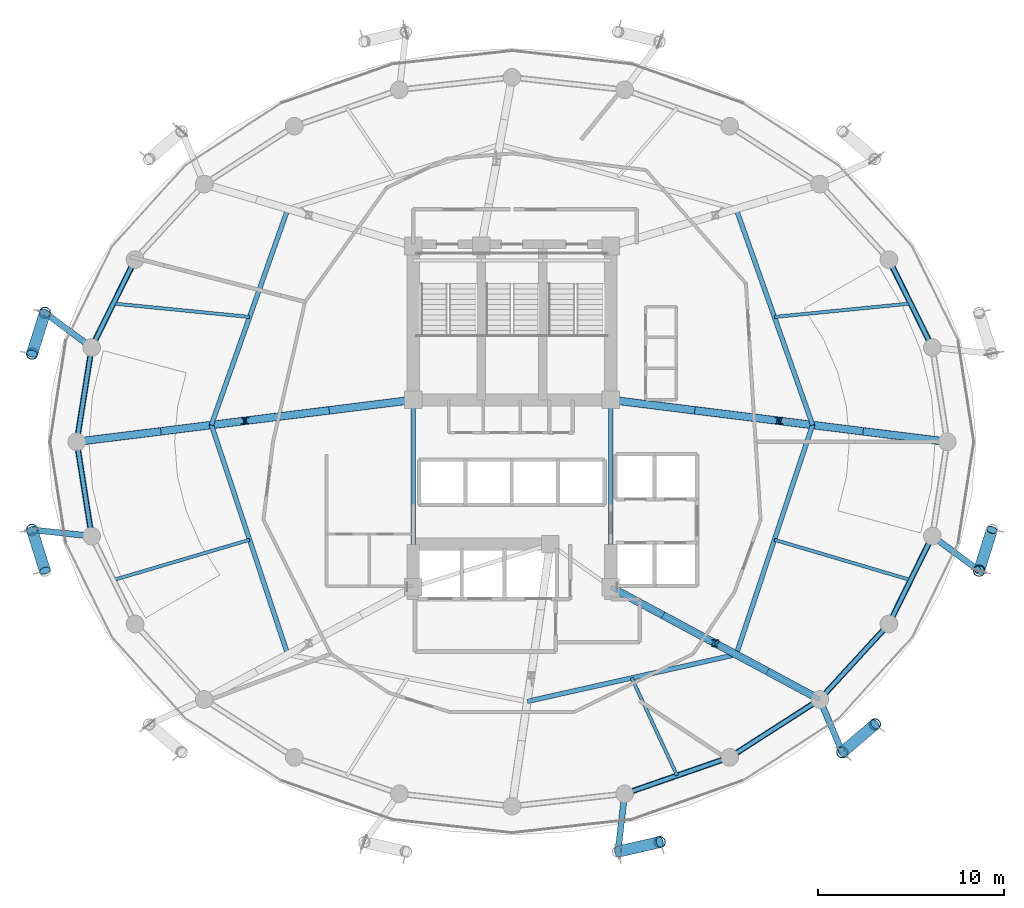
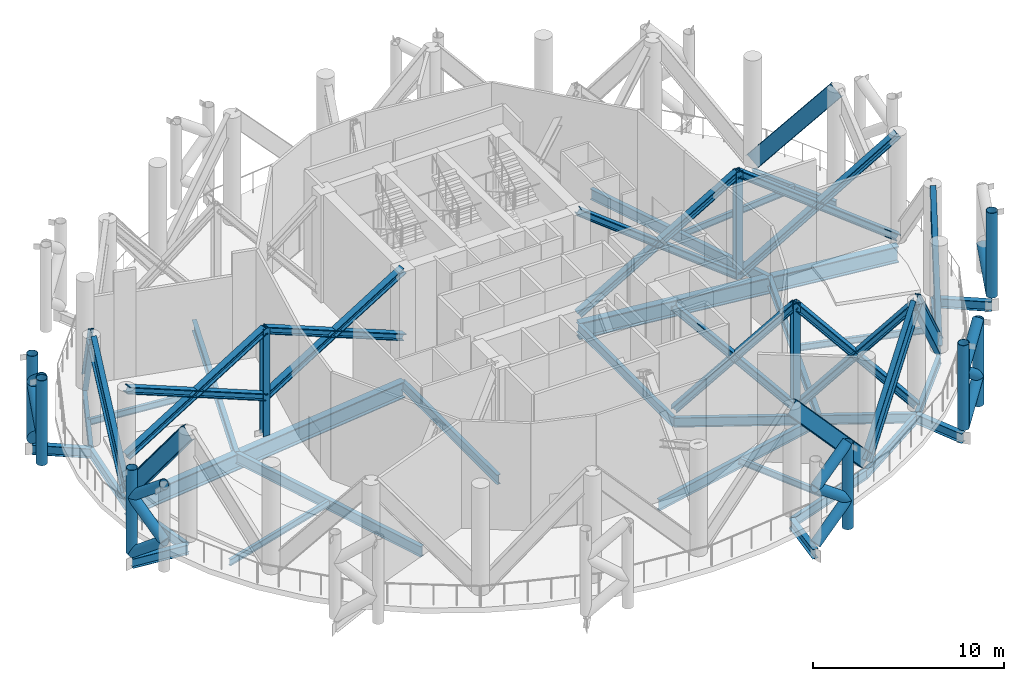
# One storey, part 2 of 18: 43 members, 28 beams.
"""IFC4 building model written with IfcOpenShell, lengths in metres."""

from ifc_helpers import new_model, si_unit, direction, frame, origin, origin_2d, place, context, subcontext, project, spatial, hollow_circle, i_section, extrude, material, material_profile, profile_set, type_object, element, save


model = new_model("IFC4")

# Units and contexts
model_context = context("Model", 3, precision=1e-05, world=origin(), true_north=direction((0.0, 1.0)))
body_context = subcontext(model_context, "Body", "Model", "MODEL_VIEW")
ifc_project = project(units=[si_unit("LENGTHUNIT", "METRE"), si_unit("AREAUNIT", "SQUARE_METRE"), si_unit("VOLUMEUNIT", "CUBIC_METRE"), si_unit("PLANEANGLEUNIT", "RADIAN"), si_unit("MASSUNIT", "GRAM", prefix="KILO")], contexts=[model_context])

# Site, building, storey
site_placement = place(None, origin())
site = spatial("IfcSite", under=ifc_project, at=site_placement, CompositionType="ELEMENT")
building_placement = place(site_placement, origin())
building = spatial("IfcBuilding", under=site, at=building_placement, Name="Nuhasar Tower", CompositionType="ELEMENT")
storey_placement = place(building_placement, frame((0.0, 0.0, 195.949951171875)))
storey = spatial("IfcBuildingStorey", under=building, at=storey_placement, Name="L48", CompositionType="ELEMENT", Elevation=195.949951171875)

# Members
ifc_material_1 = material(Name="Steel S460", Category="steel")
ifc_material_profile_1 = material_profile(ifc_material_1, i_section(OverallWidth=0.306884765625, OverallDepth=0.927001953125, WebThickness=0.019287109375, FlangeThickness=0.031982421875, at=origin_2d()), Name="W36X194")
ifc_profile_set_1 = profile_set([ifc_material_profile_1], Name="Steel S460")
member_type_1 = type_object("IfcMemberType", Name="BLT-DIAG-W36B", PredefinedType="CHORD", material=ifc_profile_set_1)
for number, where, z_axis, x_axis, name in (
    (1, (59.221923828125, 36.574951171875, 0.150146484375), (0.276834627415, -0.559697479547, 0.78108982867), (0.896349682501, 0.443347771709, 0.0), "L48 Belt Truss Diagonal 02"),
    (2, (18.778076171875, 36.574951171875, 0.150146484375), (-0.276834627415, -0.559697479547, 0.78108982867), (0.896349682501, -0.443347771709, 0.0), "L48 Belt Truss Diagonal 11"),
):
    element("IfcMember", number, at=place(storey_placement, frame(where, z_axis=z_axis, x_axis=x_axis)), inside=storey, type_object=member_type_1, Name=name, PredefinedType="CHORD", context=body_context, shape_type="SweptSolid", body=[
        extrude(i_section(OverallWidth=0.306884765625, OverallDepth=0.927001953125, WebThickness=0.019287109375, FlangeThickness=0.031982421875, at=origin_2d()), origin(), (0.0, 0.0, 1.0), 8.423828125),
    ])
for number, where, z_axis, x_axis, name in (
    (3, (15.64990234375, 26.800048828125, 0.150146484375), (0.09547676718, 0.606823513206, 0.789081371437), (-0.987847452566, 0.155426543608, 0.0), "L48 Belt Truss Diagonal 12"),
    (4, (15.64990234375, 26.800048828125, 0.150146484375), (0.09547676718, -0.606823513206, 0.789081371437), (0.987847452566, 0.155426543608, 0.0), "L48 Belt Truss Diagonal 13"),
):
    element("IfcMember", number, at=place(storey_placement, frame(where, z_axis=z_axis, x_axis=x_axis)), inside=storey, type_object=member_type_1, Name=name, PredefinedType="CHORD", context=body_context, shape_type="SweptSolid", body=[
        extrude(i_section(OverallWidth=0.306884765625, OverallDepth=0.927001953125, WebThickness=0.019287109375, FlangeThickness=0.031982421875, at=origin_2d()), origin(), (0.0, 0.0, 1.0), 8.338623046875),
    ])
member_1_placement = place(storey_placement, frame((50.675048828125, 9.868896484375, 0.150146484375), z_axis=(-0.634348302799, -0.219955441245, 0.741095024003), x_axis=(0.327607076458, -0.944814057608, 0.0)))
element("IfcMember", 5, at=member_1_placement, inside=storey, type_object=member_type_1, Name="L48 Belt Truss Diagonal 20", PredefinedType="CHORD", context=body_context, shape_type="SweptSolid", body=[
    extrude(i_section(OverallWidth=0.306884765625, OverallDepth=0.927001953125, WebThickness=0.019287109375, FlangeThickness=0.031982421875, at=origin_2d()), origin(), (0.0, 0.0, 1.0), 8.87841796875),
])
member_2_placement = place(storey_placement, frame((50.675048828125, 9.868896484375, 0.150146484375), z_axis=(0.553501309956, 0.355634651243, 0.753100454596), x_axis=(-0.540555789955, 0.841308170616, 0.0)))
element("IfcMember", 6, at=member_2_placement, inside=storey, type_object=member_type_1, Name="L48 Belt Truss Diagonal 21", PredefinedType="CHORD", context=body_context, shape_type="SweptSolid", body=[
    extrude(i_section(OverallWidth=0.306884765625, OverallDepth=0.927001953125, WebThickness=0.019287109375, FlangeThickness=0.031982421875, at=origin_2d()), origin(), (0.0, 0.0, 1.0), 8.737060546875),
])
member_3_placement = place(storey_placement, frame((59.221923828125, 17.02490234375, 0.150146484375), z_axis=(-0.432975435462, -0.47239898827, 0.76770532639), x_axis=(0.737198423262, -0.675676316545, 0.0)))
element("IfcMember", 7, at=member_3_placement, inside=storey, type_object=member_type_1, Name="L48 Belt Truss Diagonal 22", PredefinedType="CHORD", context=body_context, shape_type="SweptSolid", body=[
    extrude(i_section(OverallWidth=0.306884765625, OverallDepth=0.927001953125, WebThickness=0.019287109375, FlangeThickness=0.031982421875, at=origin_2d()), origin(), (0.0, 0.0, 1.0), 8.57080078125),
])
member_4_placement = place(storey_placement, frame((59.221923828125, 17.02490234375, 0.150146484375), z_axis=(0.276830136855, 0.559717382022, 0.781077158539), x_axis=(-0.896358804966, 0.443329327657, 0.0)))
element("IfcMember", 8, at=member_4_placement, inside=storey, type_object=member_type_1, Name="L48 Belt Truss Diagonal 23", PredefinedType="CHORD", context=body_context, shape_type="SweptSolid", body=[
    extrude(i_section(OverallWidth=0.306884765625, OverallDepth=0.927001953125, WebThickness=0.019287109375, FlangeThickness=0.031982421875, at=origin_2d()), origin(), (0.0, 0.0, 1.0), 8.424072265625),
])

# Beams
ifc_material_2 = material(Name="Steel S355", Category="steel")
ifc_material_profile_2 = material_profile(ifc_material_2, i_section(OverallWidth=0.25390625, OverallDepth=0.68408203125, WebThickness=0.012451171875, FlangeThickness=0.018798828125, at=origin_2d()), Name="W27X94")
ifc_profile_set_2 = profile_set([ifc_material_profile_2], Name="Steel S355")
beam_type_1 = type_object("IfcBeamType", Name="BM-INRING-W27X94", PredefinedType="BEAM", material=ifc_profile_set_2)
beam_1_placement = place(storey_placement, frame((39.820068359375, 12.8701171875, -0.69189453125), z_axis=(0.975716159385, 0.219038755282, 0.0), x_axis=(-0.219038755282, 0.975716159385, 0.0)))
element("IfcBeam", 9, at=beam_1_placement, inside=storey, type_object=beam_type_1, Name="L48 Inner Header Beam 02", PredefinedType="BEAM", context=body_context, shape_type="SweptSolid", body=[
    extrude(i_section(OverallWidth=0.25390625, OverallDepth=0.68408203125, WebThickness=0.012451171875, FlangeThickness=0.018798828125, at=origin_2d()), origin(), (0.0, 0.0, 1.0), 11.48583984375),
])
beam_2_placement = place(storey_placement, frame((51.027099609375, 15.385986328125, -0.69189453125), z_axis=(0.31609797573, 0.948726551615, 0.0), x_axis=(-0.948726551615, 0.31609797573, 0.0)))
element("IfcBeam", 10, at=beam_2_placement, inside=storey, type_object=beam_type_1, Name="L48 Inner Header Beam 03", PredefinedType="BEAM", context=body_context, shape_type="SweptSolid", body=[
    extrude(i_section(OverallWidth=0.25390625, OverallDepth=0.68408203125, WebThickness=0.012451171875, FlangeThickness=0.018798828125, at=origin_2d()), origin(), (0.0, 0.0, 1.0), 12.9794921875),
])
for number, where, z_axis, x_axis, name in (
    (11, (55.1298828125, 27.699951171875, -0.69189453125), (-0.333599821096, 0.942714781556, 0.0), (-0.942714781556, -0.333599821096, 0.0), "L48 Inner Header Beam 04"),
    (12, (26.972900390625, 39.2939453125, -0.69189453125), (-0.333599821096, -0.942714781556, 0.0), (0.942714781556, -0.333599821096, 0.0), "L48 Inner Header Beam 07"),
):
    element("IfcBeam", number, at=place(storey_placement, frame(where, z_axis=z_axis, x_axis=x_axis)), inside=storey, type_object=beam_type_1, Name=name, PredefinedType="BEAM", context=body_context, shape_type="SweptSolid", body=[
        extrude(i_section(OverallWidth=0.25390625, OverallDepth=0.68408203125, WebThickness=0.012451171875, FlangeThickness=0.018798828125, at=origin_2d()), origin(), (0.0, 0.0, 1.0), 12.298583984375),
    ])
beam_3_placement = place(storey_placement, frame((22.8701171875, 27.699951171875, -0.69189453125), z_axis=(0.31609797573, -0.948726551615, 0.0), x_axis=(0.948726551615, 0.31609797573, 0.0)))
element("IfcBeam", 13, at=beam_3_placement, inside=storey, type_object=beam_type_1, Name="L48 Inner Header Beam 08", PredefinedType="BEAM", context=body_context, shape_type="SweptSolid", body=[
    extrude(i_section(OverallWidth=0.25390625, OverallDepth=0.68408203125, WebThickness=0.012451171875, FlangeThickness=0.018798828125, at=origin_2d()), origin(), (0.0, 0.0, 1.0), 12.9794921875),
])
ifc_material_profile_3 = material_profile(ifc_material_2, i_section(OverallWidth=0.177978515625, OverallDepth=0.406005859375, WebThickness=0.0078125, FlangeThickness=0.0126953125, at=origin_2d()), Name="W16X40")
ifc_profile_set_3 = profile_set([ifc_material_profile_3], Name="Steel S355")
beam_type_2 = type_object("IfcBeamType", Name="BM-JST-W16X40", PredefinedType="JOIST", material=ifc_profile_set_3)
beam_4_placement = place(storey_placement, frame((45.424072265625, 14.1279296875, -0.552978515625), z_axis=(0.421729941201, -0.906721487941, 0.0), x_axis=(0.906721487941, 0.421729941201, 0.0)))
element("IfcBeam", 14, at=beam_4_placement, inside=storey, type_object=beam_type_2, Name="L48 Secondary Floor Joist 02", PredefinedType="JOIST", context=body_context, shape_type="SweptSolid", body=[
    extrude(i_section(OverallWidth=0.177978515625, OverallDepth=0.406005859375, WebThickness=0.0078125, FlangeThickness=0.0126953125, at=origin_2d()), origin(), (0.0, 0.0, 1.0), 5.7734375),
])
beam_5_placement = place(storey_placement, frame((53.0791015625, 21.54296875, -0.552978515625), z_axis=(0.959000494697, -0.283404395116, 0.0), x_axis=(0.283404395116, 0.959000494697, 0.0)))
element("IfcBeam", 15, at=beam_5_placement, inside=storey, type_object=beam_type_2, Name="L48 Secondary Floor Joist 03", PredefinedType="JOIST", context=body_context, shape_type="SweptSolid", body=[
    extrude(i_section(OverallWidth=0.177978515625, OverallDepth=0.406005859375, WebThickness=0.0078125, FlangeThickness=0.0126953125, at=origin_2d()), origin(), (0.0, 0.0, 1.0), 7.621337890625),
])
beam_6_placement = place(storey_placement, frame((53.0791015625, 33.4970703125, -0.552978515625), z_axis=(0.995170244515, 0.098164068947, 0.0), x_axis=(-0.098164068947, 0.995170244515, 0.0)))
element("IfcBeam", 16, at=beam_6_placement, inside=storey, type_object=beam_type_2, Name="L48 Secondary Floor Joist 04", PredefinedType="JOIST", context=body_context, shape_type="SweptSolid", body=[
    extrude(i_section(OverallWidth=0.177978515625, OverallDepth=0.406005859375, WebThickness=0.0078125, FlangeThickness=0.0126953125, at=origin_2d()), origin(), (0.0, 0.0, 1.0), 7.34423828125),
])
beam_7_placement = place(storey_placement, frame((24.922119140625, 33.4970703125, -0.552978515625), z_axis=(-0.995171845755, 0.098147834497, 0.0), x_axis=(-0.098147834497, -0.995171845755, 0.0)))
element("IfcBeam", 17, at=beam_7_placement, inside=storey, type_object=beam_type_2, Name="L48 Secondary Floor Joist 07", PredefinedType="JOIST", context=body_context, shape_type="SweptSolid", body=[
    extrude(i_section(OverallWidth=0.177978515625, OverallDepth=0.406005859375, WebThickness=0.0078125, FlangeThickness=0.0126953125, at=origin_2d()), origin(), (0.0, 0.0, 1.0), 7.345458984375),
])
beam_8_placement = place(storey_placement, frame((24.922119140625, 21.54296875, -0.552978515625), z_axis=(-0.959013356257, -0.283360869775, 0.0), x_axis=(0.283360869775, -0.959013356257, 0.0)))
element("IfcBeam", 18, at=beam_8_placement, inside=storey, type_object=beam_type_2, Name="L48 Secondary Floor Joist 08", PredefinedType="JOIST", context=body_context, shape_type="SweptSolid", body=[
    extrude(i_section(OverallWidth=0.177978515625, OverallDepth=0.406005859375, WebThickness=0.0078125, FlangeThickness=0.0126953125, at=origin_2d()), origin(), (0.0, 0.0, 1.0), 7.62255859375),
])
ifc_material_profile_4 = material_profile(ifc_material_2, i_section(OverallWidth=0.22900390625, OverallDepth=0.612060546875, WebThickness=0.011962890625, FlangeThickness=0.01953125, at=origin_2d()), Name="W24X84")
ifc_profile_set_4 = profile_set([ifc_material_profile_4], Name="Steel S355")
beam_type_3 = type_object("IfcBeamType", Name="BM-RAD-W24X84", PredefinedType="BEAM", material=ifc_profile_set_4)
for number, where, z_axis, x_axis, name in (
    (19, (44.300048828125, 19.0, -0.656005859375), (0.0, 1.0, 0.0), (-1.0, 0.0, 0.0), "L48 Core Ring Girder 3"),
    (20, (33.699951171875, 29.050048828125, -0.656005859375), (0.0, -1.0, 0.0), (1.0, 0.0, 0.0), "L48 Core Ring Girder 8"),
):
    element("IfcBeam", number, at=place(storey_placement, frame(where, z_axis=z_axis, x_axis=x_axis)), inside=storey, type_object=beam_type_3, Name=name, PredefinedType="BEAM", context=body_context, shape_type="SweptSolid", body=[
        extrude(i_section(OverallWidth=0.22900390625, OverallDepth=0.612060546875, WebThickness=0.011962890625, FlangeThickness=0.01953125, at=origin_2d()), origin(), (0.0, 0.0, 1.0), 10.050048828125),
    ])
beam_9_placement = place(storey_placement, frame((44.300048828125, 19.0, -0.656005859375), z_axis=(0.880888386928, -0.473324043098, 0.0), x_axis=(0.473324043098, 0.880888386928, 0.0)))
element("IfcBeam", 21, at=beam_9_placement, inside=storey, type_object=beam_type_3, Name="L48 Radial Floor Girder 03", PredefinedType="BEAM", context=body_context, shape_type="SweptSolid", body=[
    extrude(i_section(OverallWidth=0.22900390625, OverallDepth=0.612060546875, WebThickness=0.011962890625, FlangeThickness=0.01953125, at=origin_2d()), origin(), (0.0, 0.0, 1.0), 12.726806640625),
])
ifc_material_profile_5 = material_profile(ifc_material_2, i_section(OverallWidth=0.22998046875, OverallDepth=0.616943359375, WebThickness=0.01318359375, FlangeThickness=0.022216796875, at=origin_2d()), Name="W24X94")
ifc_profile_set_5 = profile_set([ifc_material_profile_5], Name="Steel S355")
beam_type_4 = type_object("IfcBeamType", Name="BM-RING-W24X94", PredefinedType="SPANDREL", material=ifc_profile_set_5)
for number, where, z_axis, x_axis, name in (
    (22, (61.553955078125, 31.860107421875, -0.658935546875), (-0.443347771709, 0.896349682501, 0.0), (-0.896349682501, -0.443347771709, 0.0), "L48 Perimeter Ring Spandrel 02"),
    (23, (18.778076171875, 36.574951171875, -0.658935546875), (-0.443347771709, -0.896349682501, 0.0), (0.896349682501, -0.443347771709, 0.0), "L48 Perimeter Ring Spandrel 11"),
):
    element("IfcBeam", number, at=place(storey_placement, frame(where, z_axis=z_axis, x_axis=x_axis)), inside=storey, type_object=beam_type_4, Name=name, PredefinedType="SPANDREL", context=body_context, shape_type="SweptSolid", body=[
        extrude(i_section(OverallWidth=0.22998046875, OverallDepth=0.616943359375, WebThickness=0.01318359375, FlangeThickness=0.022216796875, at=origin_2d()), origin(), (0.0, 0.0, 1.0), 5.260009765625),
    ])
for number, where, z_axis, x_axis, name in (
    (24, (16.446044921875, 31.860107421875, -0.658935546875), (-0.155426543608, -0.987847452566, 0.0), (0.987847452566, -0.155426543608, 0.0), "L48 Perimeter Ring Spandrel 12"),
    (25, (15.64990234375, 26.800048828125, -0.658935546875), (0.155426543608, -0.987847452566, 0.0), (0.987847452566, 0.155426543608, 0.0), "L48 Perimeter Ring Spandrel 13"),
):
    element("IfcBeam", number, at=place(storey_placement, frame(where, z_axis=z_axis, x_axis=x_axis)), inside=storey, type_object=beam_type_4, Name=name, PredefinedType="SPANDREL", context=body_context, shape_type="SweptSolid", body=[
        extrude(i_section(OverallWidth=0.22998046875, OverallDepth=0.616943359375, WebThickness=0.01318359375, FlangeThickness=0.022216796875, at=origin_2d()), origin(), (0.0, 0.0, 1.0), 5.122314453125),
    ])
beam_10_placement = place(storey_placement, frame((45.04296875, 7.916015625, -0.658935546875), z_axis=(0.944814057608, 0.327607076458, 0.0), x_axis=(-0.327607076458, 0.944814057608, 0.0)))
element("IfcBeam", 26, at=beam_10_placement, inside=storey, type_object=beam_type_4, Name="L48 Perimeter Ring Spandrel 20", PredefinedType="SPANDREL", context=body_context, shape_type="SweptSolid", body=[
    extrude(i_section(OverallWidth=0.22998046875, OverallDepth=0.616943359375, WebThickness=0.01318359375, FlangeThickness=0.022216796875, at=origin_2d()), origin(), (0.0, 0.0, 1.0), 5.9609375),
])
beam_11_placement = place(storey_placement, frame((50.675048828125, 9.868896484375, -0.658935546875), z_axis=(0.841308170616, 0.540555789955, 0.0), x_axis=(-0.540555789955, 0.841308170616, 0.0)))
element("IfcBeam", 27, at=beam_11_placement, inside=storey, type_object=beam_type_4, Name="L48 Perimeter Ring Spandrel 21", PredefinedType="SPANDREL", context=body_context, shape_type="SweptSolid", body=[
    extrude(i_section(OverallWidth=0.22998046875, OverallDepth=0.616943359375, WebThickness=0.01318359375, FlangeThickness=0.022216796875, at=origin_2d()), origin(), (0.0, 0.0, 1.0), 5.748046875),
])
beam_12_placement = place(storey_placement, frame((55.510986328125, 12.97607421875, -0.658935546875), z_axis=(0.675676316545, 0.737198423262, 0.0), x_axis=(-0.737198423262, 0.675676316545, 0.0)))
element("IfcBeam", 28, at=beam_12_placement, inside=storey, type_object=beam_type_4, Name="L48 Perimeter Ring Spandrel 22", PredefinedType="SPANDREL", context=body_context, shape_type="SweptSolid", body=[
    extrude(i_section(OverallWidth=0.22998046875, OverallDepth=0.616943359375, WebThickness=0.01318359375, FlangeThickness=0.022216796875, at=origin_2d()), origin(), (0.0, 0.0, 1.0), 5.4921875),
])
beam_13_placement = place(storey_placement, frame((59.221923828125, 17.02490234375, -0.658935546875), z_axis=(0.443329327657, 0.896358804966, 0.0), x_axis=(-0.896358804966, 0.443329327657, 0.0)))
element("IfcBeam", 29, at=beam_13_placement, inside=storey, type_object=beam_type_4, Name="L48 Perimeter Ring Spandrel 23", PredefinedType="SPANDREL", context=body_context, shape_type="SweptSolid", body=[
    extrude(i_section(OverallWidth=0.22998046875, OverallDepth=0.616943359375, WebThickness=0.01318359375, FlangeThickness=0.022216796875, at=origin_2d()), origin(), (0.0, 0.0, 1.0), 5.26025390625),
])
ifc_material_profile_6 = material_profile(ifc_material_2, i_section(OverallWidth=0.323974609375, OverallDepth=0.611083984375, WebThickness=0.0126953125, FlangeThickness=0.01904296875, at=origin_2d()), Name="W24X104")
ifc_profile_set_6 = profile_set([ifc_material_profile_6], Name="Steel S355")
beam_type_5 = type_object("IfcBeamType", Name="BM-TIE-W24X104", PredefinedType="BEAM", material=ifc_profile_set_6)
beam_14_placement = place(storey_placement, frame((16.446044921875, 31.860107421875, -0.656005859375), z_axis=(-0.802872198291, 0.596151183183, 0.0), x_axis=(-0.596151183183, -0.802872198291, 0.0)))
element("IfcBeam", 30, at=beam_14_placement, inside=storey, type_object=beam_type_5, Name="L48 Exoskeleton Node Tie Beam 06", PredefinedType="BEAM", context=body_context, shape_type="SweptSolid", body=[
    extrude(i_section(OverallWidth=0.323974609375, OverallDepth=0.611083984375, WebThickness=0.0126953125, FlangeThickness=0.01904296875, at=origin_2d()), origin(), (0.0, 0.0, 1.0), 3.121337890625),
])
beam_15_placement = place(storey_placement, frame((16.446044921875, 21.739990234375, -0.656005859375), z_axis=(-0.994577694483, 0.103996200111, 0.0), x_axis=(-0.103996200111, -0.994577694483, 0.0)))
element("IfcBeam", 31, at=beam_15_placement, inside=storey, type_object=beam_type_5, Name="L48 Exoskeleton Node Tie Beam 07", PredefinedType="BEAM", context=body_context, shape_type="SweptSolid", body=[
    extrude(i_section(OverallWidth=0.323974609375, OverallDepth=0.611083984375, WebThickness=0.0126953125, FlangeThickness=0.01904296875, at=origin_2d()), origin(), (0.0, 0.0, 1.0), 3.21142578125),
])
beam_16_placement = place(storey_placement, frame((45.04296875, 7.916015625, -0.656005859375), z_axis=(-0.114167639647, -0.993461499031, 0.0), x_axis=(0.993461499031, -0.114167639647, 0.0)))
element("IfcBeam", 32, at=beam_16_placement, inside=storey, type_object=beam_type_5, Name="L48 Exoskeleton Node Tie Beam 10", PredefinedType="BEAM", context=body_context, shape_type="SweptSolid", body=[
    extrude(i_section(OverallWidth=0.323974609375, OverallDepth=0.611083984375, WebThickness=0.0126953125, FlangeThickness=0.01904296875, at=origin_2d()), origin(), (0.0, 0.0, 1.0), 3.12646484375),
])
beam_17_placement = place(storey_placement, frame((55.510986328125, 12.97607421875, -0.656005859375), z_axis=(0.39330721304, -0.919407111225, 0.0), x_axis=(0.919407111225, 0.39330721304, 0.0)))
element("IfcBeam", 33, at=beam_17_placement, inside=storey, type_object=beam_type_5, Name="L48 Exoskeleton Node Tie Beam 11", PredefinedType="BEAM", context=body_context, shape_type="SweptSolid", body=[
    extrude(i_section(OverallWidth=0.323974609375, OverallDepth=0.611083984375, WebThickness=0.0126953125, FlangeThickness=0.01904296875, at=origin_2d()), origin(), (0.0, 0.0, 1.0), 3.081298828125),
])
beam_18_placement = place(storey_placement, frame((61.553955078125, 21.739990234375, -0.656005859375), z_axis=(0.80283476238, -0.596201597041, 0.0), x_axis=(0.596201597041, 0.80283476238, 0.0)))
element("IfcBeam", 34, at=beam_18_placement, inside=storey, type_object=beam_type_5, Name="L48 Exoskeleton Node Tie Beam 12", PredefinedType="BEAM", context=body_context, shape_type="SweptSolid", body=[
    extrude(i_section(OverallWidth=0.323974609375, OverallDepth=0.611083984375, WebThickness=0.0126953125, FlangeThickness=0.01904296875, at=origin_2d()), origin(), (0.0, 0.0, 1.0), 3.12158203125),
])
ifc_material_profile_7 = material_profile(ifc_material_1, i_section(OverallWidth=0.419921875, OverallDepth=1.0400390625, WebThickness=0.031005859375, FlangeThickness=0.055908203125, at=origin_2d()), Name="W40X397")
ifc_profile_set_7 = profile_set([ifc_material_profile_7], Name="Steel S460")
beam_type_6 = type_object("IfcBeamType", Name="BM-XFER-W40X397", PredefinedType="USERDEFINED", material=ifc_profile_set_7)
for number, where, z_axis, x_axis, name in (
    (35, (44.300048828125, 29.050048828125, -0.869873046875), (0.992320149485, -0.123696082908, 0.0), (0.123696082908, 0.992320149485, 0.0), "L48 Radial Floor Girder 04"),
    (36, (33.699951171875, 29.050048828125, -0.869873046875), (-0.992320149485, -0.123696082908, 0.0), (0.123696082908, -0.992320149485, 0.0), "L48 Radial Floor Girder 08"),
):
    element("IfcBeam", number, at=place(storey_placement, frame(where, z_axis=z_axis, x_axis=x_axis)), inside=storey, type_object=beam_type_6, Name=name, ObjectType="GIRDER", PredefinedType="USERDEFINED", context=body_context, shape_type="SweptSolid", body=[
        extrude(i_section(OverallWidth=0.419921875, OverallDepth=1.0400390625, WebThickness=0.031005859375, FlangeThickness=0.055908203125, at=origin_2d()), origin(), (0.0, 0.0, 1.0), 18.189697265625),
    ])

# Members
ifc_material_profile_8 = material_profile(ifc_material_1, hollow_circle(Radius=0.304931640625, WallThickness=0.025390625, at=origin_2d()), Name="HSS610X25.4")
ifc_profile_set_8 = profile_set([ifc_material_profile_8], Name="Steel S460")
member_type_2 = type_object("IfcMemberType", Name="EXO-BRONZE-610", PredefinedType="BRACE", material=ifc_profile_set_8)
for number, where, z_axis, x_axis, name in (
    (37, (13.93994140625, 33.720947265625, 0.0), (0.0, 0.0, 1.0), (1.0, 0.0, 0.0), "L48 Exoskeleton Chord Column EC-06A"),
    (38, (13.251953125, 31.52587890625, 0.0), (0.0, 0.0, 1.0), (1.0, 0.0, 0.0), "L48 Exoskeleton Chord Column EC-06B"),
    (39, (13.251953125, 22.073974609375, 0.0), (0.0, 0.0, 1.0), (1.0, 0.0, 0.0), "L48 Exoskeleton Chord Column EC-07A"),
    (40, (46.927978515625, 5.323974609375, 0.0), (0.0, 0.0, 1.0), (1.0, 0.0, 0.0), "L48 Exoskeleton Chord Column EC-10B"),
    (41, (56.722900390625, 10.14306640625, 0.0), (0.0, 0.0, 1.0), (1.0, 0.0, 0.0), "L48 Exoskeleton Chord Column EC-11A"),
    (42, (58.470947265625, 11.637939453125, 0.0), (0.0, 0.0, 1.0), (1.0, 0.0, 0.0), "L48 Exoskeleton Chord Column EC-11B"),
    (43, (64.06005859375, 19.87890625, 0.0), (0.0, 0.0, 1.0), (1.0, 0.0, 0.0), "L48 Exoskeleton Chord Column EC-12A"),
):
    element("IfcMember", number, at=place(storey_placement, frame(where, z_axis=z_axis, x_axis=x_axis)), inside=storey, type_object=member_type_2, Name=name, PredefinedType="BRACE", context=body_context, shape_type="SweptSolid", body=[
        extrude(hollow_circle(Radius=0.304931640625, WallThickness=0.025390625, at=origin_2d()), origin(), (0.0, 0.0, 1.0), 5.429931640625),
    ])
for number, where, z_axis, x_axis, name in (
    (44, (13.93994140625, 33.720947265625, 0.0), (-0.23504022633, -0.749910104661, 0.618377657208), (0.954228474306, -0.29907861646, 0.0), "L48 Bronze Diagrid Brace W1-06"),
    (45, (13.251953125, 31.52587890625, 1.81005859375), (0.23504022633, 0.749910104661, 0.618377657208), (-0.954228474306, 0.29907861646, 0.0), "L48 Bronze Diagrid Brace W2-06"),
    (46, (13.93994140625, 33.720947265625, 3.6201171875), (-0.23505234909, -0.749948783062, 0.618326140456), (0.954228474306, -0.29907861646, 0.0), "L48 Bronze Diagrid Brace W3-06"),
    (47, (13.251953125, 22.073974609375, 0.0), (0.23504022633, -0.749910104661, 0.618377657208), (0.954228474306, 0.29907861646, 0.0), "L48 Bronze Diagrid Brace W1-07"),
    (48, (13.93994140625, 19.87890625, 1.81005859375), (-0.23504022633, 0.749910104661, 0.618377657208), (-0.954228474306, -0.29907861646, 0.0), "L48 Bronze Diagrid Brace W2-07"),
    (49, (13.251953125, 22.073974609375, 3.6201171875), (0.23505234909, -0.749948783062, 0.618326140456), (0.954228474306, 0.29907861646, 0.0), "L48 Bronze Diagrid Brace W3-07"),
    (50, (44.68603515625, 4.81005859375, 0.0), (0.765979330811, 0.175583849652, 0.618422166899), (-0.223432882746, 0.974719316987, 0.0), "L48 Bronze Diagrid Brace W1-10"),
    (51, (46.927978515625, 5.323974609375, 1.81005859375), (-0.765979330811, -0.175583849652, 0.618422166899), (0.223432882746, -0.974719316987, 0.0), "L48 Bronze Diagrid Brace W2-10"),
):
    element("IfcMember", number, at=place(storey_placement, frame(where, z_axis=z_axis, x_axis=x_axis)), inside=storey, type_object=member_type_2, Name=name, PredefinedType="BRACE", context=body_context, shape_type="SweptSolid", body=[
        extrude(hollow_circle(Radius=0.304931640625, WallThickness=0.025390625, at=origin_2d()), origin(), (0.0, 0.0, 1.0), 2.927001953125),
    ])
for number, where, z_axis, x_axis, name in (
    (52, (44.68603515625, 4.81005859375, 3.6201171875), (0.766018843708, 0.175592907112, 0.61837065103), (-0.223432882746, 0.974719316987, 0.0), "L48 Bronze Diagrid Brace W3-10"),
    (53, (56.722900390625, 10.14306640625, 0.0), (0.597239035792, 0.51073947153, 0.618426007173), (-0.649925557156, 0.7599978751, 0.0), "L48 Bronze Diagrid Brace W1-11"),
    (54, (58.470947265625, 11.637939453125, 1.81005859375), (-0.597239035792, -0.51073947153, 0.618426007173), (0.649925557156, -0.7599978751, 0.0), "L48 Bronze Diagrid Brace W2-11"),
    (55, (56.722900390625, 10.14306640625, 3.6201171875), (0.597269844636, 0.510765818255, 0.618374491381), (-0.649925557156, 0.7599978751, 0.0), "L48 Bronze Diagrid Brace W3-11"),
):
    element("IfcMember", number, at=place(storey_placement, frame(where, z_axis=z_axis, x_axis=x_axis)), inside=storey, type_object=member_type_2, Name=name, PredefinedType="BRACE", context=body_context, shape_type="SweptSolid", body=[
        extrude(hollow_circle(Radius=0.304931640625, WallThickness=0.025390625, at=origin_2d()), origin(), (0.0, 0.0, 1.0), 2.9267578125),
    ])
member_5_placement = place(storey_placement, frame((64.06005859375, 19.87890625, 0.0), z_axis=(0.23504022633, 0.749910104661, 0.618377657208), x_axis=(-0.954228474306, 0.29907861646, 0.0)))
element("IfcMember", 56, at=member_5_placement, inside=storey, type_object=member_type_2, Name="L48 Bronze Diagrid Brace W1-12", PredefinedType="BRACE", context=body_context, shape_type="SweptSolid", body=[
    extrude(hollow_circle(Radius=0.304931640625, WallThickness=0.025390625, at=origin_2d()), origin(), (0.0, 0.0, 1.0), 2.927001953125),
])
ifc_material_profile_9 = material_profile(ifc_material_1, i_section(OverallWidth=0.39892578125, OverallDepth=0.385986328125, WebThickness=0.02099609375, FlangeThickness=0.033203125, at=origin_2d()), Name="W14X176")
ifc_profile_set_9 = profile_set([ifc_material_profile_9], Name="Steel S460")
member_type_3 = type_object("IfcMemberType", Name="OUT-CHRD-W14C", PredefinedType="CHORD", material=ifc_profile_set_9)
for number, where, z_axis, x_axis, name in (
    (57, (49.906005859375, 15.988037109375, 0.0), (0.0, 0.0, 1.0), (1.0, 0.0, 0.0), "L48 Outrigger Truss Post 03"),
    (58, (53.324951171875, 27.925048828125, 0.0), (0.0, 0.0, 1.0), (1.0, 0.0, 0.0), "L48 Outrigger Truss Post 04"),
    (59, (24.675048828125, 27.925048828125, 0.0), (0.0, 0.0, 1.0), (1.0, 0.0, 0.0), "L48 Outrigger Truss Post 08"),
):
    element("IfcMember", number, at=place(storey_placement, frame(where, z_axis=z_axis, x_axis=x_axis)), inside=storey, type_object=member_type_3, Name=name, PredefinedType="CHORD", context=body_context, shape_type="SweptSolid", body=[
        extrude(i_section(OverallWidth=0.39892578125, OverallDepth=0.385986328125, WebThickness=0.02099609375, FlangeThickness=0.033203125, at=origin_2d()), origin(), (0.0, 0.0, 1.0), 6.880126953125),
    ])
ifc_material_profile_10 = material_profile(ifc_material_1, i_section(OverallWidth=0.406005859375, OverallDepth=0.416015625, WebThickness=0.02978515625, FlangeThickness=0.048095703125, at=origin_2d()), Name="W14X257")
ifc_profile_set_10 = profile_set([ifc_material_profile_10], Name="Steel S460")
member_type_4 = type_object("IfcMemberType", Name="OUT-DIAG-W14B", PredefinedType="STRUT", material=ifc_profile_set_10)
for number, where, z_axis, x_axis, name in (
    (60, (44.300048828125, 19.0, 0.150146484375), (0.612415508556, -0.329037981407, 0.718805433808), (0.473292051692, 0.880905575987, 0.0), "L48 Outrigger Truss Diagonal IN1-03"),
    (61, (49.906005859375, 15.988037109375, 0.150146484375), (-0.612415508556, 0.329037981407, 0.718805433808), (-0.473292051692, -0.880905575987, 0.0), "L48 Outrigger Truss Diagonal IN2-03"),
):
    element("IfcMember", number, at=place(storey_placement, frame(where, z_axis=z_axis, x_axis=x_axis)), inside=storey, type_object=member_type_4, Name=name, PredefinedType="STRUT", context=body_context, shape_type="SweptSolid", body=[
        extrude(i_section(OverallWidth=0.406005859375, OverallDepth=0.416015625, WebThickness=0.02978515625, FlangeThickness=0.048095703125, at=origin_2d()), origin(), (0.0, 0.0, 1.0), 9.15380859375),
    ])
for number, where, z_axis, x_axis, name in (
    (62, (49.906005859375, 15.988037109375, 0.150146484375), (0.612348830585, -0.329059479176, 0.71885239712), (0.473356038205, 0.880871194384, 0.0), "L48 Outrigger Truss Diagonal OUT1-03"),
    (63, (55.510986328125, 12.97607421875, 0.150146484375), (-0.612348830585, 0.329059479176, 0.71885239712), (-0.473356038205, -0.880871194384, 0.0), "L48 Outrigger Truss Diagonal OUT2-03"),
):
    element("IfcMember", number, at=place(storey_placement, frame(where, z_axis=z_axis, x_axis=x_axis)), inside=storey, type_object=member_type_4, Name=name, PredefinedType="STRUT", context=body_context, shape_type="SweptSolid", body=[
        extrude(i_section(OverallWidth=0.406005859375, OverallDepth=0.416015625, WebThickness=0.02978515625, FlangeThickness=0.048095703125, at=origin_2d()), origin(), (0.0, 0.0, 1.0), 9.1533203125),
    ])
for number, where, z_axis, x_axis, name in (
    (64, (44.300048828125, 29.050048828125, 0.150146484375), (0.803974438843, -0.100219504793, 0.586157958699), (0.123697730414, 0.992319944116, 0.0), "L48 Outrigger Truss Diagonal IN1-04"),
    (65, (53.324951171875, 27.925048828125, 0.150146484375), (-0.803974438843, 0.100219504793, 0.586157958699), (-0.123697730414, -0.992319944116, 0.0), "L48 Outrigger Truss Diagonal IN2-04"),
):
    element("IfcMember", number, at=place(storey_placement, frame(where, z_axis=z_axis, x_axis=x_axis)), inside=storey, type_object=member_type_4, Name=name, PredefinedType="STRUT", context=body_context, shape_type="SweptSolid", body=[
        extrude(i_section(OverallWidth=0.406005859375, OverallDepth=0.416015625, WebThickness=0.02978515625, FlangeThickness=0.048095703125, at=origin_2d()), origin(), (0.0, 0.0, 1.0), 11.225341796875),
    ])
for number, where, z_axis, x_axis, name in (
    (66, (53.324951171875, 27.925048828125, 0.150146484375), (0.803982129642, -0.100217752411, 0.58614770947), (0.123694435446, 0.992320354845, 0.0), "L48 Outrigger Truss Diagonal OUT1-04"),
    (67, (62.35009765625, 26.800048828125, 0.150146484375), (-0.803982129642, 0.100217752411, 0.58614770947), (-0.123694435446, -0.992320354845, 0.0), "L48 Outrigger Truss Diagonal OUT2-04"),
):
    element("IfcMember", number, at=place(storey_placement, frame(where, z_axis=z_axis, x_axis=x_axis)), inside=storey, type_object=member_type_4, Name=name, PredefinedType="STRUT", context=body_context, shape_type="SweptSolid", body=[
        extrude(i_section(OverallWidth=0.406005859375, OverallDepth=0.416015625, WebThickness=0.02978515625, FlangeThickness=0.048095703125, at=origin_2d()), origin(), (0.0, 0.0, 1.0), 11.2255859375),
    ])
for number, where, z_axis, x_axis, name in (
    (68, (33.699951171875, 29.050048828125, 2.449951171875), (-0.897864064501, -0.111923324385, 0.425808984331), (0.123697730414, -0.992319944116, 0.0), "L48 Outrigger Truss Diagonal IN1-08"),
    (69, (24.675048828125, 27.925048828125, 2.449951171875), (0.897864064501, 0.111923324385, 0.425808984331), (-0.123697730414, 0.992319944116, 0.0), "L48 Outrigger Truss Diagonal IN2-08"),
):
    element("IfcMember", number, at=place(storey_placement, frame(where, z_axis=z_axis, x_axis=x_axis)), inside=storey, type_object=member_type_4, Name=name, PredefinedType="STRUT", context=body_context, shape_type="SweptSolid", body=[
        extrude(i_section(OverallWidth=0.406005859375, OverallDepth=0.416015625, WebThickness=0.02978515625, FlangeThickness=0.048095703125, at=origin_2d()), origin(), (0.0, 0.0, 1.0), 10.051513671875),
    ])
for number, where, z_axis, x_axis, name in (
    (70, (24.675048828125, 27.925048828125, 2.449951171875), (-0.897868772513, -0.111920883592, 0.425799698405), (0.123694435446, -0.992320354845, 0.0), "L48 Outrigger Truss Diagonal OUT1-08"),
    (71, (15.64990234375, 26.800048828125, 2.449951171875), (0.897868772513, 0.111920883592, 0.425799698405), (-0.123694435446, 0.992320354845, 0.0), "L48 Outrigger Truss Diagonal OUT2-08"),
):
    element("IfcMember", number, at=place(storey_placement, frame(where, z_axis=z_axis, x_axis=x_axis)), inside=storey, type_object=member_type_4, Name=name, PredefinedType="STRUT", context=body_context, shape_type="SweptSolid", body=[
        extrude(i_section(OverallWidth=0.406005859375, OverallDepth=0.416015625, WebThickness=0.02978515625, FlangeThickness=0.048095703125, at=origin_2d()), origin(), (0.0, 0.0, 1.0), 10.0517578125),
    ])

save(model, "model.ifc")
